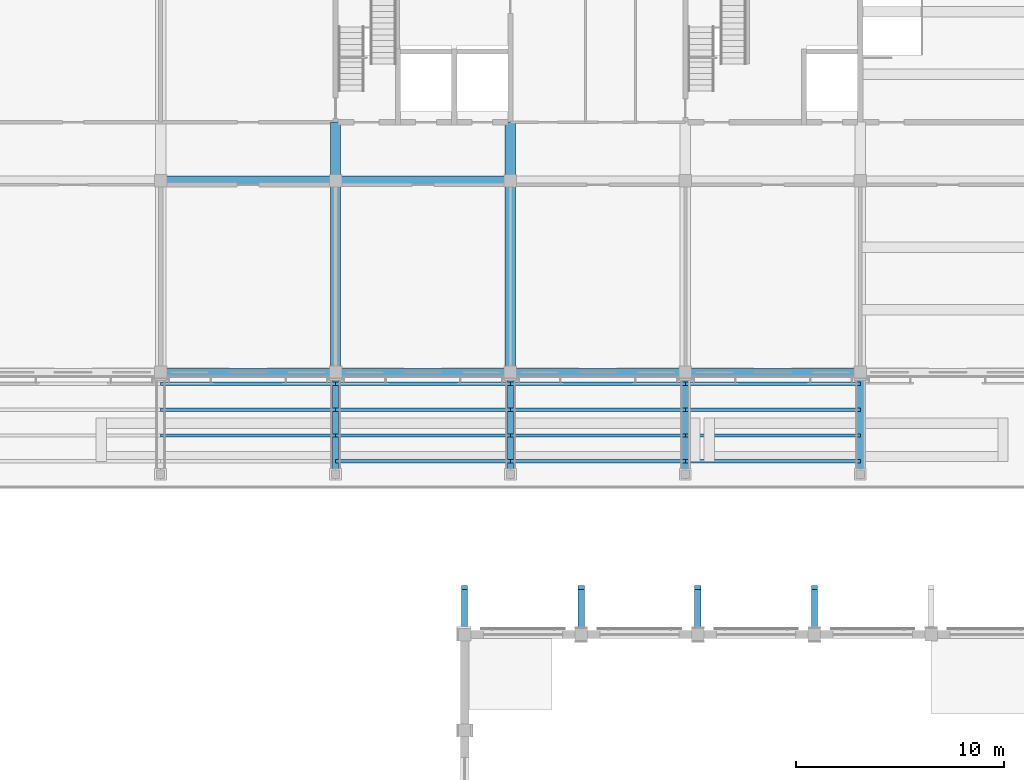
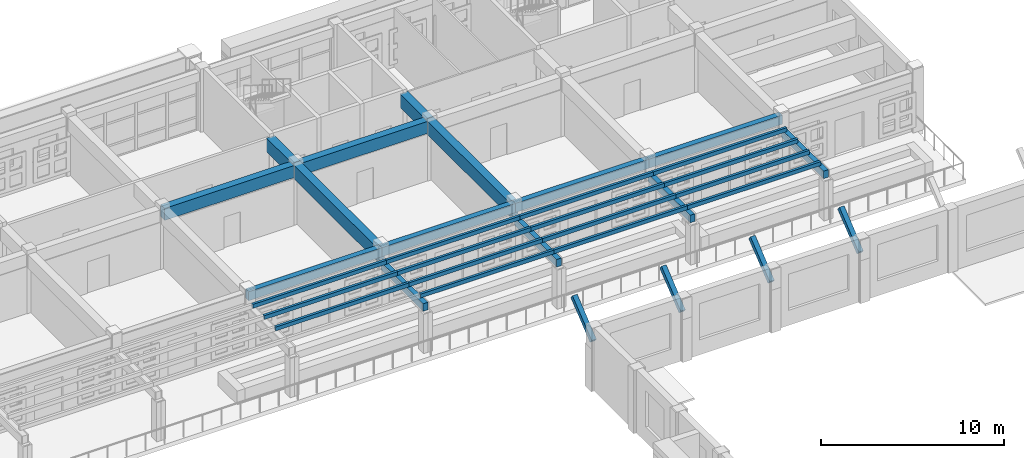
# One storey, part 11 of 68: 19 members, 14 beams.
"""IFC4 building model written with IfcOpenShell, lengths in metres."""

from ifc_helpers import new_model, si_unit, direction, frame, origin, origin_2d, place, context, subcontext, project, spatial, rectangle, extrude, material, material_profile, profile_set, type_object, element, save


model = new_model("IFC4")

# Units and contexts
model_context = context("Model", 3, precision=1e-05, world=origin(), true_north=direction((0.0, 1.0)))
body_context = subcontext(model_context, "Body", "Model", "MODEL_VIEW")
ifc_project = project(units=[si_unit("LENGTHUNIT", "METRE"), si_unit("AREAUNIT", "SQUARE_METRE"), si_unit("VOLUMEUNIT", "CUBIC_METRE"), si_unit("PLANEANGLEUNIT", "RADIAN"), si_unit("MASSUNIT", "GRAM", prefix="KILO")], contexts=[model_context])

# Site, building, storey
site_placement = place(None, origin())
site = spatial("IfcSite", under=ifc_project, at=site_placement, CompositionType="ELEMENT")
building_placement = place(site_placement, origin())
building = spatial("IfcBuilding", under=site, at=building_placement, Name="Wasatch Bagh Community Centre", CompositionType="ELEMENT")
storey_placement = place(building_placement, frame((0.0, 0.0, 8.39990234375)))
storey = spatial("IfcBuildingStorey", under=building, at=storey_placement, Name="L02", CompositionType="ELEMENT", Elevation=8.39990234375)

# Members
ifc_material_1 = material(Name="Concrete C35", Category="concrete")
ifc_material_profile_1 = material_profile(ifc_material_1, rectangle(XDim=0.300048828125, YDim=0.300048828125, at=origin_2d()), Name="RC 300x300")
ifc_profile_set_1 = profile_set([ifc_material_profile_1], Name="Concrete C35")
member_type_1 = type_object("IfcMemberType", Name="CH-B1", PredefinedType="MEMBER", material=ifc_profile_set_1)
for number, where, z_axis, x_axis, name in (
    (1, (112.199951171875, 65.949951171875, 3.0), (0.0, 0.774486545129, 0.632590382013), (-1.0, 0.0, 0.0), "CH-B1 eave bracket SH N 112.2"),
    (2, (117.800048828125, 65.949951171875, 3.0), (0.0, 0.774486545129, 0.632590382013), (-1.0, 0.0, 0.0), "CH-B1 eave bracket SH N 117.8"),
    (3, (123.39990234375, 65.949951171875, 3.0), (0.0, 0.774486545129, 0.632590382013), (-1.0, 0.0, 0.0), "CH-B1 eave bracket SH N 123.4"),
    (4, (129.0, 65.949951171875, 3.0), (0.0, 0.774486545129, 0.632590382013), (-1.0, 0.0, 0.0), "CH-B1 eave bracket SH N 129.0"),
):
    element("IfcMember", number, at=place(storey_placement, frame(where, z_axis=z_axis, x_axis=x_axis)), inside=storey, type_object=member_type_1, Name=name, PredefinedType="MEMBER", context=body_context, shape_type="SweptSolid", body=[
        extrude(rectangle(XDim=0.300048828125, YDim=0.300048828125, at=origin_2d()), origin(), (0.0, 0.0, 1.0), 2.711669921875),
    ])

# Beams
ifc_material_profile_2 = material_profile(ifc_material_1, rectangle(XDim=0.300048828125, YDim=0.5, at=origin_2d()), Name="RC 300x500")
ifc_profile_set_2 = profile_set([ifc_material_profile_2], Name="Concrete C35")
beam_type_1 = type_object("IfcBeamType", Name="LW RC 300x500", PredefinedType="BEAM", material=ifc_profile_set_2)
for number, where, z_axis, x_axis, name in (
    (5, (106.0, 78.10009765625, 2.85009765625), (0.0, -1.0, 0.0), (1.0, 0.0, 0.0), "Pergola beam T2"),
    (6, (114.39990234375, 78.10009765625, 2.85009765625), (0.0, -1.0, 0.0), (1.0, 0.0, 0.0), "Pergola beam T2"),
    (7, (122.800048828125, 78.10009765625, 2.85009765625), (0.0, -1.0, 0.0), (1.0, 0.0, 0.0), "Pergola beam T2"),
    (8, (131.199951171875, 78.10009765625, 2.85009765625), (0.0, -1.0, 0.0), (1.0, 0.0, 0.0), "Pergola beam T2"),
):
    element("IfcBeam", number, at=place(storey_placement, frame(where, z_axis=z_axis, x_axis=x_axis)), inside=storey, type_object=beam_type_1, Name=name, PredefinedType="BEAM", context=body_context, shape_type="SweptSolid", body=[
        extrude(rectangle(XDim=0.300048828125, YDim=0.5, at=origin_2d()), origin(), (0.0, 0.0, 1.0), 4.60009765625),
    ])
ifc_material_profile_3 = material_profile(ifc_material_1, rectangle(XDim=0.35009765625, YDim=0.60009765625, at=origin_2d()), Name="RC 350x600")
ifc_profile_set_3 = profile_set([ifc_material_profile_3], Name="Concrete C35")
beam_type_2 = type_object("IfcBeamType", Name="LW RC 350x600", PredefinedType="BEAM", material=ifc_profile_set_3)
for number, where, z_axis, x_axis, name in (
    (9, (97.60009765625, 78.39990234375, 3.6201171875), (1.0, 0.0, 0.0), (0.0, 1.0, 0.0), "W5-W6S"),
    (10, (106.0, 78.39990234375, 3.6201171875), (1.0, 0.0, 0.0), (0.0, 1.0, 0.0), "W6-W7S"),
):
    element("IfcBeam", number, at=place(storey_placement, frame(where, z_axis=z_axis, x_axis=x_axis)), inside=storey, type_object=beam_type_2, Name=name, PredefinedType="BEAM", context=body_context, shape_type="SweptSolid", body=[
        extrude(rectangle(XDim=0.35009765625, YDim=0.60009765625, at=origin_2d()), origin(), (0.0, 0.0, 1.0), 8.39990234375),
    ])
beam_1_placement = place(storey_placement, frame((114.39990234375, 78.39990234375, 3.6201171875), z_axis=(1.0, 0.0, 0.0), x_axis=(0.0, 1.0, 0.0)))
element("IfcBeam", 11, at=beam_1_placement, inside=storey, type_object=beam_type_2, Name="W7-W8S", PredefinedType="BEAM", context=body_context, shape_type="SweptSolid", body=[
    extrude(rectangle(XDim=0.35009765625, YDim=0.60009765625, at=origin_2d()), origin(), (0.0, 0.0, 1.0), 8.400146484375),
])
beam_2_placement = place(storey_placement, frame((122.800048828125, 78.39990234375, 3.6201171875), z_axis=(1.0, 0.0, 0.0), x_axis=(0.0, 1.0, 0.0)))
element("IfcBeam", 12, at=beam_2_placement, inside=storey, type_object=beam_type_2, Name="W8-W9S", PredefinedType="BEAM", context=body_context, shape_type="SweptSolid", body=[
    extrude(rectangle(XDim=0.35009765625, YDim=0.60009765625, at=origin_2d()), origin(), (0.0, 0.0, 1.0), 8.39990234375),
])
ifc_material_profile_4 = material_profile(ifc_material_1, rectangle(XDim=0.449951171875, YDim=0.800048828125, at=origin_2d()), Name="RC 450x800")
ifc_profile_set_4 = profile_set([ifc_material_profile_4], Name="Concrete C35")
beam_type_3 = type_object("IfcBeamType", Name="LW RC 450x800", PredefinedType="BEAM", material=ifc_profile_set_4)
for number, where, z_axis, x_axis, name in (
    (13, (97.60009765625, 87.60009765625, 3.52001953125), (1.0, 0.0, 0.0), (0.0, 1.0, 0.0), "W5-W6M"),
    (14, (106.0, 87.60009765625, 3.52001953125), (1.0, 0.0, 0.0), (0.0, 1.0, 0.0), "W6-W7M"),
):
    element("IfcBeam", number, at=place(storey_placement, frame(where, z_axis=z_axis, x_axis=x_axis)), inside=storey, type_object=beam_type_3, Name=name, PredefinedType="BEAM", context=body_context, shape_type="SweptSolid", body=[
        extrude(rectangle(XDim=0.449951171875, YDim=0.800048828125, at=origin_2d()), origin(), (0.0, 0.0, 1.0), 8.39990234375),
    ])
ifc_material_profile_5 = material_profile(ifc_material_1, rectangle(XDim=0.5, YDim=0.89990234375, at=origin_2d()), Name="RC 500x900")
ifc_profile_set_5 = profile_set([ifc_material_profile_5], Name="Concrete C35")
beam_type_4 = type_object("IfcBeamType", Name="LW RC 500x900", PredefinedType="BEAM", material=ifc_profile_set_5)
beam_3_placement = place(storey_placement, frame((106.0, 78.39990234375, 3.47021484375), z_axis=(0.0, 1.0, 0.0), x_axis=(-1.0, 0.0, 0.0)))
element("IfcBeam", 15, at=beam_3_placement, inside=storey, type_object=beam_type_4, Name="W6S-M", PredefinedType="BEAM", context=body_context, shape_type="SweptSolid", body=[
    extrude(rectangle(XDim=0.5, YDim=0.89990234375, at=origin_2d()), origin(), (0.0, 0.0, 1.0), 9.2001953125),
])
beam_4_placement = place(storey_placement, frame((106.0, 87.60009765625, 3.47021484375), z_axis=(0.0, 1.0, 0.0), x_axis=(-1.0, 0.0, 0.0)))
element("IfcBeam", 16, at=beam_4_placement, inside=storey, type_object=beam_type_4, Name="W6M-N", PredefinedType="BEAM", context=body_context, shape_type="SweptSolid", body=[
    extrude(rectangle(XDim=0.5, YDim=0.89990234375, at=origin_2d()), origin(), (0.0, 0.0, 1.0), 2.7998046875),
])
beam_5_placement = place(storey_placement, frame((114.39990234375, 78.39990234375, 3.47021484375), z_axis=(0.0, 1.0, 0.0), x_axis=(-1.0, 0.0, 0.0)))
element("IfcBeam", 17, at=beam_5_placement, inside=storey, type_object=beam_type_4, Name="W7S-M", PredefinedType="BEAM", context=body_context, shape_type="SweptSolid", body=[
    extrude(rectangle(XDim=0.5, YDim=0.89990234375, at=origin_2d()), origin(), (0.0, 0.0, 1.0), 9.2001953125),
])
beam_6_placement = place(storey_placement, frame((114.39990234375, 87.60009765625, 3.47021484375), z_axis=(0.0, 1.0, 0.0), x_axis=(-1.0, 0.0, 0.0)))
element("IfcBeam", 18, at=beam_6_placement, inside=storey, type_object=beam_type_4, Name="W7M-N", PredefinedType="BEAM", context=body_context, shape_type="SweptSolid", body=[
    extrude(rectangle(XDim=0.5, YDim=0.89990234375, at=origin_2d()), origin(), (0.0, 0.0, 1.0), 2.7998046875),
])

# Members
ifc_material_2 = material(Name="Glued laminated timber GL24h", Category="wood")
ifc_material_profile_6 = material_profile(ifc_material_2, rectangle(XDim=0.159912109375, YDim=0.260009765625, at=origin_2d()), Name="GL 160x260")
ifc_profile_set_6 = profile_set([ifc_material_profile_6], Name="Glued laminated timber GL24h")
member_type_2 = type_object("IfcMemberType", Name="LW pergola slat 160x260", PredefinedType="MEMBER", material=ifc_profile_set_6)
for number, where, z_axis, x_axis, name in (
    (19, (97.60009765625, 75.360107421875, 3.22998046875), (1.0, 0.0, 0.0), (0.0, 1.0, 0.0), "Pergola slat T2"),
    (20, (97.60009765625, 76.60009765625, 3.22998046875), (1.0, 0.0, 0.0), (0.0, 1.0, 0.0), "Pergola slat T2"),
    (21, (97.60009765625, 77.840087890625, 3.22998046875), (1.0, 0.0, 0.0), (0.0, 1.0, 0.0), "Pergola slat T2"),
    (22, (106.0, 74.1201171875, 3.22998046875), (1.0, 0.0, 0.0), (0.0, 1.0, 0.0), "Pergola slat T2"),
    (23, (106.0, 75.360107421875, 3.22998046875), (1.0, 0.0, 0.0), (0.0, 1.0, 0.0), "Pergola slat T2"),
    (24, (106.0, 76.60009765625, 3.22998046875), (1.0, 0.0, 0.0), (0.0, 1.0, 0.0), "Pergola slat T2"),
    (25, (106.0, 77.840087890625, 3.22998046875), (1.0, 0.0, 0.0), (0.0, 1.0, 0.0), "Pergola slat T2"),
):
    element("IfcMember", number, at=place(storey_placement, frame(where, z_axis=z_axis, x_axis=x_axis)), inside=storey, type_object=member_type_2, Name=name, PredefinedType="MEMBER", context=body_context, shape_type="SweptSolid", body=[
        extrude(rectangle(XDim=0.159912109375, YDim=0.260009765625, at=origin_2d()), origin(), (0.0, 0.0, 1.0), 8.39990234375),
    ])
for number, where, z_axis, x_axis, name in (
    (26, (114.39990234375, 74.1201171875, 3.22998046875), (1.0, 0.0, 0.0), (0.0, 1.0, 0.0), "Pergola slat T2"),
    (27, (114.39990234375, 75.360107421875, 3.22998046875), (1.0, 0.0, 0.0), (0.0, 1.0, 0.0), "Pergola slat T2"),
    (28, (114.39990234375, 76.60009765625, 3.22998046875), (1.0, 0.0, 0.0), (0.0, 1.0, 0.0), "Pergola slat T2"),
    (29, (114.39990234375, 77.840087890625, 3.22998046875), (1.0, 0.0, 0.0), (0.0, 1.0, 0.0), "Pergola slat T2"),
):
    element("IfcMember", number, at=place(storey_placement, frame(where, z_axis=z_axis, x_axis=x_axis)), inside=storey, type_object=member_type_2, Name=name, PredefinedType="MEMBER", context=body_context, shape_type="SweptSolid", body=[
        extrude(rectangle(XDim=0.159912109375, YDim=0.260009765625, at=origin_2d()), origin(), (0.0, 0.0, 1.0), 8.400146484375),
    ])
for number, where, z_axis, x_axis, name in (
    (30, (122.800048828125, 74.1201171875, 3.22998046875), (1.0, 0.0, 0.0), (0.0, 1.0, 0.0), "Pergola slat T2"),
    (31, (122.800048828125, 75.360107421875, 3.22998046875), (1.0, 0.0, 0.0), (0.0, 1.0, 0.0), "Pergola slat T2"),
    (32, (122.800048828125, 76.60009765625, 3.22998046875), (1.0, 0.0, 0.0), (0.0, 1.0, 0.0), "Pergola slat T2"),
    (33, (122.800048828125, 77.840087890625, 3.22998046875), (1.0, 0.0, 0.0), (0.0, 1.0, 0.0), "Pergola slat T2"),
):
    element("IfcMember", number, at=place(storey_placement, frame(where, z_axis=z_axis, x_axis=x_axis)), inside=storey, type_object=member_type_2, Name=name, PredefinedType="MEMBER", context=body_context, shape_type="SweptSolid", body=[
        extrude(rectangle(XDim=0.159912109375, YDim=0.260009765625, at=origin_2d()), origin(), (0.0, 0.0, 1.0), 8.39990234375),
    ])

save(model, "model.ifc")
